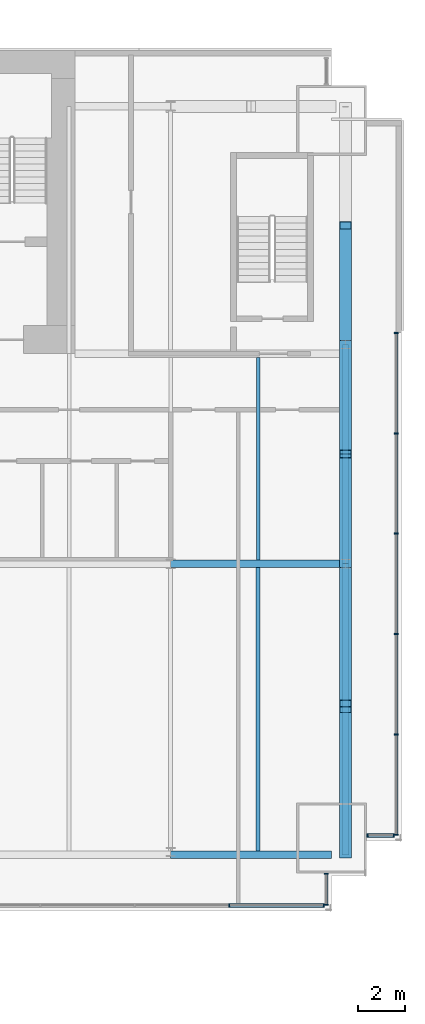
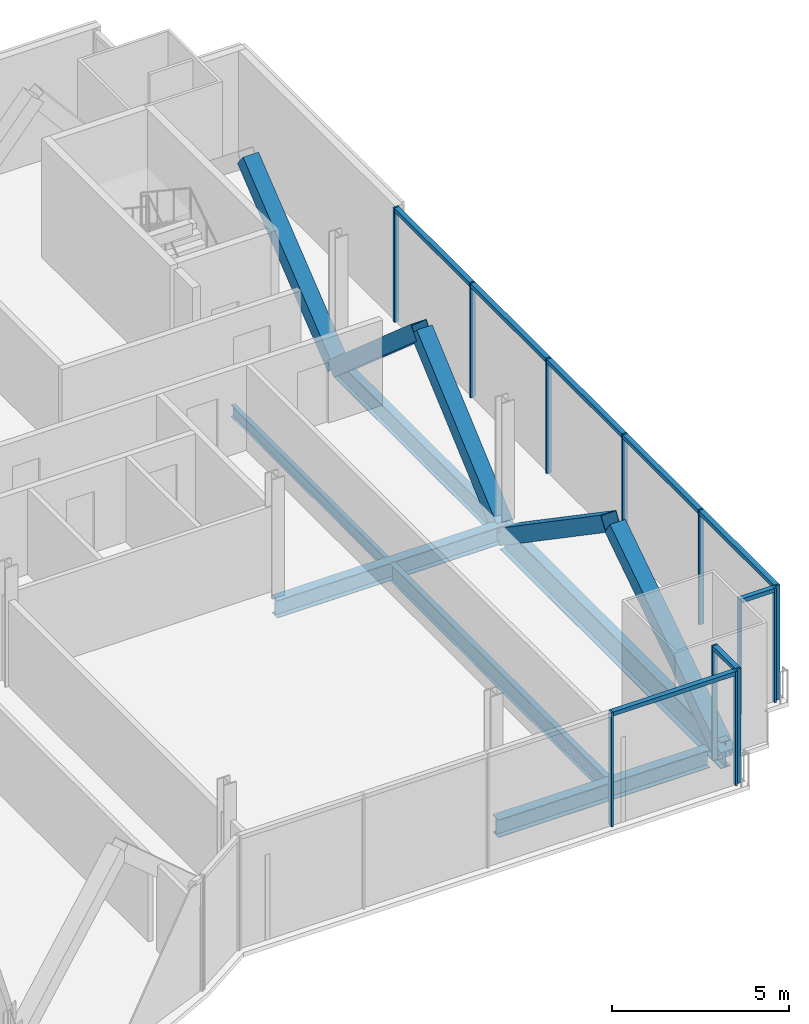
# One storey, part 12 of 21: 25 members, 6 beams, 4 elements without a shape of their own.
"""IFC4 building model written with IfcOpenShell, lengths in metres."""

from ifc_helpers import new_model, si_unit, direction, frame, origin, origin_2d, place, context, subcontext, project, spatial, rectangle, hollow_rectangle, i_section, extrude, material, material_profile, profile_set, type_object, element, aggregate, save


model = new_model("IFC4")

# Units and contexts
model_context = context("Model", 3, precision=1e-05, world=origin(), true_north=direction((0.0, 1.0)))
body_context = subcontext(model_context, "Body", "Model", "MODEL_VIEW")
ifc_project = project(units=[si_unit("LENGTHUNIT", "METRE"), si_unit("AREAUNIT", "SQUARE_METRE"), si_unit("VOLUMEUNIT", "CUBIC_METRE"), si_unit("PLANEANGLEUNIT", "RADIAN"), si_unit("MASSUNIT", "GRAM", prefix="KILO")], contexts=[model_context])

# Site, building, storey
site_placement = place(None, origin())
site = spatial("IfcSite", under=ifc_project, at=site_placement, CompositionType="ELEMENT")
building_placement = place(site_placement, origin())
building = spatial("IfcBuilding", under=site, at=building_placement, Name="Bicima Exchange Tower", CompositionType="ELEMENT")
storey_placement = place(building_placement, frame((0.0, 0.0, 126.800048828125)))
storey = spatial("IfcBuildingStorey", under=building, at=storey_placement, Name="L27", CompositionType="ELEMENT", Elevation=126.800048828125)

# Curtain wall, members
ifc_material_1 = material(Name="Anodised bronze aluminium", Category="aluminium")
curtain_wall_type_1 = type_object("IfcCurtainWallType", Name="End face glass wall", PredefinedType="NOTDEFINED", material=ifc_material_1)
curtain_wall_1_placement = place(storey_placement, origin())
curtain_wall_1 = element("IfcCurtainWall", 1, at=curtain_wall_1_placement, inside=storey, type_object=curtain_wall_type_1, Name="End face glass wall L27 run 19", PredefinedType="NOTDEFINED")
ifc_material_profile_1 = material_profile(ifc_material_1, rectangle(XDim=0.159912109375, YDim=0.06005859375, at=origin_2d()))
ifc_profile_set_1 = profile_set([ifc_material_profile_1], Name="Anodised bronze aluminium")
member_type_1 = type_object("IfcMemberType", Name="End face glass wall mullion 60 x 160", PredefinedType="MULLION", material=ifc_profile_set_1)
member_1_placement = place(storey_placement, frame((35.77001953125, -33.615966796875, 0.0), z_axis=(0.0, 0.0, 1.0), x_axis=(-1.0, 0.0, 0.0)))
member_1 = element("IfcMember", 2, at=member_1_placement, type_object=member_type_1, Name="End face glass wall mullion 1", PredefinedType="MULLION", context=body_context, shape_type="SweptSolid", body=[
    extrude(rectangle(XDim=0.159912109375, YDim=0.06005859375, at=origin_2d()), origin(), (0.0, 0.0, 1.0), 3.949951171875),
])
member_2_placement = place(storey_placement, frame((35.77001953125, -29.314697265625, 0.0), z_axis=(0.0, 0.0, 1.0), x_axis=(-1.0, 0.0, 0.0)))
member_2 = element("IfcMember", 3, at=member_2_placement, type_object=member_type_1, Name="End face glass wall mullion 2", PredefinedType="MULLION", context=body_context, shape_type="SweptSolid", body=[
    extrude(rectangle(XDim=0.159912109375, YDim=0.06005859375, at=origin_2d()), origin(), (0.0, 0.0, 1.0), 3.949951171875),
])
member_3_placement = place(storey_placement, frame((35.77001953125, -25.013671875, 0.0), z_axis=(0.0, 0.0, 1.0), x_axis=(-1.0, 0.0, 0.0)))
member_3 = element("IfcMember", 4, at=member_3_placement, type_object=member_type_1, Name="End face glass wall mullion 3", PredefinedType="MULLION", context=body_context, shape_type="SweptSolid", body=[
    extrude(rectangle(XDim=0.159912109375, YDim=0.06005859375, at=origin_2d()), origin(), (0.0, 0.0, 1.0), 3.949951171875),
])
member_4_placement = place(storey_placement, frame((35.77001953125, -20.71240234375, 0.0), z_axis=(0.0, 0.0, 1.0), x_axis=(-1.0, 0.0, 0.0)))
member_4 = element("IfcMember", 5, at=member_4_placement, type_object=member_type_1, Name="End face glass wall mullion 4", PredefinedType="MULLION", context=body_context, shape_type="SweptSolid", body=[
    extrude(rectangle(XDim=0.159912109375, YDim=0.06005859375, at=origin_2d()), origin(), (0.0, 0.0, 1.0), 3.949951171875),
])
member_5_placement = place(storey_placement, frame((35.77001953125, -16.4111328125, 0.0), z_axis=(0.0, 0.0, 1.0), x_axis=(-1.0, 0.0, 0.0)))
member_5 = element("IfcMember", 6, at=member_5_placement, type_object=member_type_1, Name="End face glass wall mullion 5", PredefinedType="MULLION", context=body_context, shape_type="SweptSolid", body=[
    extrude(rectangle(XDim=0.159912109375, YDim=0.06005859375, at=origin_2d()), origin(), (0.0, 0.0, 1.0), 3.949951171875),
])
member_6_placement = place(storey_placement, frame((35.77001953125, -12.110107421875, 0.0), z_axis=(0.0, 0.0, 1.0), x_axis=(-1.0, 0.0, 0.0)))
member_6 = element("IfcMember", 7, at=member_6_placement, type_object=member_type_1, Name="End face glass wall mullion 6", PredefinedType="MULLION", context=body_context, shape_type="SweptSolid", body=[
    extrude(rectangle(XDim=0.159912109375, YDim=0.06005859375, at=origin_2d()), origin(), (0.0, 0.0, 1.0), 3.949951171875),
])
ifc_material_profile_2 = material_profile(ifc_material_1, rectangle(XDim=0.159912109375, YDim=0.139892578125, at=origin_2d()))
ifc_profile_set_2 = profile_set([ifc_material_profile_2], Name="Anodised bronze aluminium")
member_type_2 = type_object("IfcMemberType", Name="End face glass wall transom 140 x 160", PredefinedType="USERDEFINED", material=ifc_profile_set_2)
member_7_placement = place(storey_placement, frame((35.77001953125, -33.5859375, 3.8798828125), z_axis=(0.0, 1.0, 0.0), x_axis=(-1.0, 0.0, 0.0)))
member_7 = element("IfcMember", 8, at=member_7_placement, type_object=member_type_2, Name="End face glass wall transom 1.1", ObjectType="TRANSOM", PredefinedType="USERDEFINED", context=body_context, shape_type="SweptSolid", body=[
    extrude(rectangle(XDim=0.159912109375, YDim=0.139892578125, at=origin_2d()), origin(), (0.0, 0.0, 1.0), 4.2412109375),
])
member_8_placement = place(storey_placement, frame((35.77001953125, -29.284912109375, 3.8798828125), z_axis=(0.0, 1.0, 0.0), x_axis=(-1.0, 0.0, 0.0)))
member_8 = element("IfcMember", 9, at=member_8_placement, type_object=member_type_2, Name="End face glass wall transom 2.1", ObjectType="TRANSOM", PredefinedType="USERDEFINED", context=body_context, shape_type="SweptSolid", body=[
    extrude(rectangle(XDim=0.159912109375, YDim=0.139892578125, at=origin_2d()), origin(), (0.0, 0.0, 1.0), 4.2412109375),
])
member_9_placement = place(storey_placement, frame((35.77001953125, -24.983642578125, 3.8798828125), z_axis=(0.0, 1.0, 0.0), x_axis=(-1.0, 0.0, 0.0)))
member_9 = element("IfcMember", 10, at=member_9_placement, type_object=member_type_2, Name="End face glass wall transom 3.1", ObjectType="TRANSOM", PredefinedType="USERDEFINED", context=body_context, shape_type="SweptSolid", body=[
    extrude(rectangle(XDim=0.159912109375, YDim=0.139892578125, at=origin_2d()), origin(), (0.0, 0.0, 1.0), 4.2412109375),
])
member_10_placement = place(storey_placement, frame((35.77001953125, -20.682373046875, 3.8798828125), z_axis=(0.0, 1.0, 0.0), x_axis=(-1.0, 0.0, 0.0)))
member_10 = element("IfcMember", 11, at=member_10_placement, type_object=member_type_2, Name="End face glass wall transom 4.1", ObjectType="TRANSOM", PredefinedType="USERDEFINED", context=body_context, shape_type="SweptSolid", body=[
    extrude(rectangle(XDim=0.159912109375, YDim=0.139892578125, at=origin_2d()), origin(), (0.0, 0.0, 1.0), 4.2412109375),
])
member_11_placement = place(storey_placement, frame((35.77001953125, -16.381103515625, 3.8798828125), z_axis=(0.0, 1.0, 0.0), x_axis=(-1.0, 0.0, 0.0)))
member_11 = element("IfcMember", 12, at=member_11_placement, type_object=member_type_2, Name="End face glass wall transom 5.1", ObjectType="TRANSOM", PredefinedType="USERDEFINED", context=body_context, shape_type="SweptSolid", body=[
    extrude(rectangle(XDim=0.159912109375, YDim=0.139892578125, at=origin_2d()), origin(), (0.0, 0.0, 1.0), 4.2412109375),
])
aggregate(curtain_wall_1, [member_1, member_2, member_3, member_4, member_5, member_6, member_7, member_8, member_9, member_10, member_11])

# Beams
ifc_material_2 = material(Name="Steel ASTM A992 Gr 50", Category="steel")
ifc_material_profile_3 = material_profile(ifc_material_2, i_section(OverallWidth=0.256591796875, OverallDepth=0.693359375, WebThickness=0.014404296875, FlangeThickness=0.023681640625, at=origin_2d()))
ifc_profile_set_3 = profile_set([ifc_material_profile_3], Name="Steel ASTM A992 Gr 50")
beam_type_1 = type_object("IfcBeamType", Name="End girder W27x114", PredefinedType="BEAM", material=ifc_profile_set_3)
beam_1_placement = place(storey_placement, frame((33.60009765625, -12.60009765625, -0.496826171875), z_axis=(0.0, -1.0, 0.0), x_axis=(1.0, 0.0, 0.0)))
element("IfcBeam", 13, at=beam_1_placement, inside=storey, type_object=beam_type_1, Name="End girder", PredefinedType="BEAM", context=body_context, shape_type="SweptSolid", body=[
    extrude(i_section(OverallWidth=0.256591796875, OverallDepth=0.693359375, WebThickness=0.014404296875, FlangeThickness=0.023681640625, at=origin_2d()), origin(), (0.0, 0.0, 1.0), 9.39990234375),
])
ifc_material_profile_4 = material_profile(ifc_material_2, i_section(OverallWidth=0.3046875, OverallDepth=0.911865234375, WebThickness=0.015869140625, FlangeThickness=0.02392578125, at=origin_2d()))
ifc_profile_set_4 = profile_set([ifc_material_profile_4], Name="Steel ASTM A992 Gr 50")
beam_type_2 = type_object("IfcBeamType", Name="End girder W36x150", PredefinedType="BEAM", material=ifc_profile_set_4)
beam_2_placement = place(storey_placement, frame((33.60009765625, -22.0, -0.60595703125), z_axis=(0.0, -1.0, 0.0), x_axis=(1.0, 0.0, 0.0)))
element("IfcBeam", 14, at=beam_2_placement, inside=storey, type_object=beam_type_2, Name="End girder", PredefinedType="BEAM", context=body_context, shape_type="SweptSolid", body=[
    extrude(i_section(OverallWidth=0.3046875, OverallDepth=0.911865234375, WebThickness=0.015869140625, FlangeThickness=0.02392578125, at=origin_2d()), origin(), (0.0, 0.0, 1.0), 12.47607421875),
])
ifc_material_profile_5 = material_profile(ifc_material_2, i_section(OverallWidth=0.140380859375, OverallDepth=0.40380859375, WebThickness=0.007080078125, FlangeThickness=0.01123046875, at=origin_2d()))
ifc_profile_set_5 = profile_set([ifc_material_profile_5], Name="Steel ASTM A992 Gr 50")
beam_type_3 = type_object("IfcBeamType", Name="Floor beam W16x31", PredefinedType="JOIST", material=ifc_profile_set_5)
beam_3_placement = place(storey_placement, frame((29.85009765625, -13.15234375, -0.35205078125), z_axis=(0.0, -1.0, 0.0), x_axis=(1.0, 0.0, 0.0)))
element("IfcBeam", 15, at=beam_3_placement, inside=storey, type_object=beam_type_3, Name="Floor beam", PredefinedType="JOIST", context=body_context, shape_type="SweptSolid", body=[
    extrude(i_section(OverallWidth=0.140380859375, OverallDepth=0.40380859375, WebThickness=0.007080078125, FlangeThickness=0.01123046875, at=origin_2d()), origin(), (0.0, 0.0, 1.0), 8.68505859375),
])
ifc_material_profile_6 = material_profile(ifc_material_2, i_section(OverallWidth=0.177978515625, OverallDepth=0.599365234375, WebThickness=0.010009765625, FlangeThickness=0.012939453125, at=origin_2d()))
ifc_profile_set_6 = profile_set([ifc_material_profile_6], Name="Steel ASTM A992 Gr 50")
beam_type_4 = type_object("IfcBeamType", Name="Floor beam W24x55", PredefinedType="JOIST", material=ifc_profile_set_6)
beam_4_placement = place(storey_placement, frame((29.85009765625, -22.16259765625, -0.44970703125), z_axis=(0.0, -1.0, 0.0), x_axis=(1.0, 0.0, 0.0)))
element("IfcBeam", 16, at=beam_4_placement, inside=storey, type_object=beam_type_4, Name="Floor beam", PredefinedType="JOIST", context=body_context, shape_type="SweptSolid", body=[
    extrude(i_section(OverallWidth=0.177978515625, OverallDepth=0.599365234375, WebThickness=0.010009765625, FlangeThickness=0.012939453125, at=origin_2d()), origin(), (0.0, 0.0, 1.0), 12.15087890625),
])
ifc_material_profile_7 = material_profile(ifc_material_2, i_section(OverallWidth=0.3251953125, OverallDepth=0.612060546875, WebThickness=0.0126953125, FlangeThickness=0.01904296875, at=origin_2d()))
ifc_profile_set_7 = profile_set([ifc_material_profile_7], Name="Steel ASTM A992 Gr 50")
beam_type_5 = type_object("IfcBeamType", Name="Front girder W24x104", PredefinedType="BEAM", material=ifc_profile_set_7)
beam_5_placement = place(storey_placement, frame((26.10009765625, -34.47607421875, -0.4560546875), z_axis=(1.0, 0.0, 0.0), x_axis=(0.0, 1.0, 0.0)))
element("IfcBeam", 17, at=beam_5_placement, inside=storey, type_object=beam_type_5, Name="Front girder", PredefinedType="BEAM", context=body_context, shape_type="SweptSolid", body=[
    extrude(i_section(OverallWidth=0.3251953125, OverallDepth=0.612060546875, WebThickness=0.0126953125, FlangeThickness=0.01904296875, at=origin_2d()), origin(), (0.0, 0.0, 1.0), 6.89990234375),
])

# Curtain wall, members
curtain_wall_type_2 = type_object("IfcCurtainWallType", Name="Front glass wall", PredefinedType="NOTDEFINED", material=ifc_material_1)
curtain_wall_2_placement = place(storey_placement, origin())
curtain_wall_2 = element("IfcCurtainWall", 18, at=curtain_wall_2_placement, inside=storey, type_object=curtain_wall_type_2, Name="Front glass wall L27 run 16", PredefinedType="NOTDEFINED")
member_type_3 = type_object("IfcMemberType", Name="Front glass wall mullion 60 x 160", PredefinedType="MULLION", material=ifc_profile_set_1)
member_12_placement = place(storey_placement, frame((28.610595703125, -36.64599609375, 0.0), z_axis=(0.0, 0.0, 1.0), x_axis=(0.0, 1.0, 0.0)))
member_12 = element("IfcMember", 19, at=member_12_placement, type_object=member_type_3, Name="Front glass wall mullion 4", PredefinedType="MULLION", context=body_context, shape_type="SweptSolid", body=[
    extrude(rectangle(XDim=0.159912109375, YDim=0.06005859375, at=origin_2d()), origin(), (0.0, 0.0, 1.0), 3.949951171875),
])
member_13_placement = place(storey_placement, frame((32.659912109375, -36.64599609375, 0.0), z_axis=(0.0, 0.0, 1.0), x_axis=(0.0, 1.0, 0.0)))
member_13 = element("IfcMember", 20, at=member_13_placement, type_object=member_type_3, Name="Front glass wall mullion 5", PredefinedType="MULLION", context=body_context, shape_type="SweptSolid", body=[
    extrude(rectangle(XDim=0.159912109375, YDim=0.06005859375, at=origin_2d()), origin(), (0.0, 0.0, 1.0), 3.949951171875),
])

curtain_wall_3_placement = place(storey_placement, origin())
curtain_wall_3 = element("IfcCurtainWall", 21, at=curtain_wall_3_placement, inside=storey, type_object=curtain_wall_type_2, Name="Front glass wall L27 run 17", PredefinedType="NOTDEFINED")
member_14_placement = place(storey_placement, frame((32.77001953125, -36.615966796875, 0.0), z_axis=(0.0, 0.0, 1.0), x_axis=(-1.0, 0.0, 0.0)))
member_14 = element("IfcMember", 22, at=member_14_placement, type_object=member_type_3, Name="Front glass wall mullion 1", PredefinedType="MULLION", context=body_context, shape_type="SweptSolid", body=[
    extrude(rectangle(XDim=0.159912109375, YDim=0.06005859375, at=origin_2d()), origin(), (0.0, 0.0, 1.0), 3.949951171875),
])
member_15_placement = place(storey_placement, frame((32.77001953125, -35.283935546875, 0.0), z_axis=(0.0, 0.0, 1.0), x_axis=(-1.0, 0.0, 0.0)))
member_15 = element("IfcMember", 23, at=member_15_placement, type_object=member_type_3, Name="Front glass wall mullion 2", PredefinedType="MULLION", context=body_context, shape_type="SweptSolid", body=[
    extrude(rectangle(XDim=0.159912109375, YDim=0.06005859375, at=origin_2d()), origin(), (0.0, 0.0, 1.0), 3.949951171875),
])

curtain_wall_4_placement = place(storey_placement, origin())
curtain_wall_4 = element("IfcCurtainWall", 24, at=curtain_wall_4_placement, inside=storey, type_object=curtain_wall_type_2, Name="Front glass wall L27 run 18", PredefinedType="NOTDEFINED")
member_16_placement = place(storey_placement, frame((34.530029296875, -33.64599609375, 0.0), z_axis=(0.0, 0.0, 1.0), x_axis=(0.0, 1.0, 0.0)))
member_16 = element("IfcMember", 25, at=member_16_placement, type_object=member_type_3, Name="Front glass wall mullion 1", PredefinedType="MULLION", context=body_context, shape_type="SweptSolid", body=[
    extrude(rectangle(XDim=0.159912109375, YDim=0.06005859375, at=origin_2d()), origin(), (0.0, 0.0, 1.0), 3.949951171875),
])
member_17_placement = place(storey_placement, frame((35.659912109375, -33.64599609375, 0.0), z_axis=(0.0, 0.0, 1.0), x_axis=(0.0, 1.0, 0.0)))
member_17 = element("IfcMember", 26, at=member_17_placement, type_object=member_type_3, Name="Front glass wall mullion 2", PredefinedType="MULLION", context=body_context, shape_type="SweptSolid", body=[
    extrude(rectangle(XDim=0.159912109375, YDim=0.06005859375, at=origin_2d()), origin(), (0.0, 0.0, 1.0), 3.949951171875),
])

# Member
member_type_4 = type_object("IfcMemberType", Name="Front glass wall transom 140 x 160", PredefinedType="USERDEFINED", material=ifc_profile_set_2)
member_18_placement = place(storey_placement, frame((28.640380859375, -36.64599609375, 3.8798828125), z_axis=(1.0, 0.0, 0.0), x_axis=(0.0, 1.0, 0.0)))
member_18 = element("IfcMember", 27, at=member_18_placement, type_object=member_type_4, Name="Front glass wall transom 4.1", ObjectType="TRANSOM", PredefinedType="USERDEFINED", context=body_context, shape_type="SweptSolid", body=[
    extrude(rectangle(XDim=0.159912109375, YDim=0.139892578125, at=origin_2d()), origin(), (0.0, 0.0, 1.0), 3.989501953125),
])

aggregate(curtain_wall_2, [member_12, member_13, member_18])

member_19_placement = place(storey_placement, frame((32.77001953125, -36.5859375, 3.8798828125), z_axis=(0.0, 1.0, 0.0), x_axis=(-1.0, 0.0, 0.0)))
member_19 = element("IfcMember", 28, at=member_19_placement, type_object=member_type_4, Name="Front glass wall transom 1.1", ObjectType="TRANSOM", PredefinedType="USERDEFINED", context=body_context, shape_type="SweptSolid", body=[
    extrude(rectangle(XDim=0.159912109375, YDim=0.139892578125, at=origin_2d()), origin(), (0.0, 0.0, 1.0), 1.27197265625),
])

aggregate(curtain_wall_3, [member_14, member_15, member_19])

member_20_placement = place(storey_placement, frame((34.56005859375, -33.64599609375, 3.8798828125), z_axis=(1.0, 0.0, 0.0), x_axis=(0.0, 1.0, 0.0)))
member_20 = element("IfcMember", 29, at=member_20_placement, type_object=member_type_4, Name="Front glass wall transom 1.1", ObjectType="TRANSOM", PredefinedType="USERDEFINED", context=body_context, shape_type="SweptSolid", body=[
    extrude(rectangle(XDim=0.159912109375, YDim=0.139892578125, at=origin_2d()), origin(), (0.0, 0.0, 1.0), 1.06982421875),
])

aggregate(curtain_wall_4, [member_16, member_17, member_20])

# Members
ifc_material_3 = material(Name="Steel ASTM A572 Gr 50", Category="steel")
ifc_material_profile_8 = material_profile(ifc_material_3, hollow_rectangle(XDim=0.508056640625, YDim=0.508056640625, WallThickness=0.0146484375, at=origin_2d()))
ifc_profile_set_8 = profile_set([ifc_material_profile_8], Name="Steel ASTM A572 Gr 50")
member_type_5 = type_object("IfcMemberType", Name="Mega brace HSS20x20x5/8", PredefinedType="BRACE", material=ifc_profile_set_8)
member_21_placement = place(storey_placement, frame((33.60009765625, -12.60009765625, -0.496826171875), z_axis=(0.0, 0.779374241895, 0.626558689247), x_axis=(-1.0, 0.0, 0.0)))
element("IfcMember", 30, at=member_21_placement, inside=storey, type_object=member_type_5, Name="Mega brace east end", PredefinedType="BRACE", context=body_context, shape_type="SweptSolid", body=[
    extrude(hollow_rectangle(XDim=0.508056640625, YDim=0.508056640625, WallThickness=0.0146484375, at=origin_2d()), origin(), (0.0, 0.0, 1.0), 6.5439453125),
])
for number, where, z_axis, x_axis, name in (
    (31, (33.60009765625, -12.60009765625, -0.496826171875), (0.0, -0.753557917662, 0.657381521439), (1.0, 0.0, 0.0), "Mega brace east end"),
    (32, (33.60009765625, -22.0, -0.496826171875), (0.0, 0.753557917662, 0.657381521439), (-1.0, 0.0, 0.0), "Mega brace east end"),
):
    element("IfcMember", number, at=place(storey_placement, frame(where, z_axis=z_axis, x_axis=x_axis)), inside=storey, type_object=member_type_5, Name=name, PredefinedType="BRACE", context=body_context, shape_type="SweptSolid", body=[
        extrude(hollow_rectangle(XDim=0.508056640625, YDim=0.508056640625, WallThickness=0.0146484375, at=origin_2d()), origin(), (0.0, 0.0, 1.0), 6.237060546875),
    ])
member_22_placement = place(storey_placement, frame((33.60009765625, -22.0, -0.60595703125), z_axis=(0.0, -0.825370750823, 0.564591111943), x_axis=(1.0, 0.0, 0.0)))
element("IfcMember", 33, at=member_22_placement, inside=storey, type_object=member_type_5, Name="Mega brace east end", PredefinedType="BRACE", context=body_context, shape_type="SweptSolid", body=[
    extrude(hollow_rectangle(XDim=0.508056640625, YDim=0.508056640625, WallThickness=0.0146484375, at=origin_2d()), origin(), (0.0, 0.0, 1.0), 7.261962890625),
])
member_23_placement = place(storey_placement, frame((33.60009765625, -34.47607421875, -0.60595703125), z_axis=(0.0, 0.835655299365, 0.549254240442), x_axis=(-1.0, 0.0, 0.0)))
element("IfcMember", 34, at=member_23_placement, inside=storey, type_object=member_type_5, Name="Mega brace east end", PredefinedType="BRACE", context=body_context, shape_type="SweptSolid", body=[
    extrude(hollow_rectangle(XDim=0.508056640625, YDim=0.508056640625, WallThickness=0.0146484375, at=origin_2d()), origin(), (0.0, 0.0, 1.0), 7.46484375),
])

# Beam
beam_type_6 = type_object("IfcBeamType", Name="Row girder W24x104", PredefinedType="BEAM", material=ifc_profile_set_7)
beam_6_placement = place(storey_placement, frame((26.10009765625, -22.0, -0.4560546875), z_axis=(1.0, 0.0, 0.0), x_axis=(0.0, 1.0, 0.0)))
element("IfcBeam", 35, at=beam_6_placement, inside=storey, type_object=beam_type_6, Name="Row girder", PredefinedType="BEAM", context=body_context, shape_type="SweptSolid", body=[
    extrude(i_section(OverallWidth=0.3251953125, OverallDepth=0.612060546875, WebThickness=0.0126953125, FlangeThickness=0.01904296875, at=origin_2d()), origin(), (0.0, 0.0, 1.0), 7.5),
])

save(model, "model.ifc")
